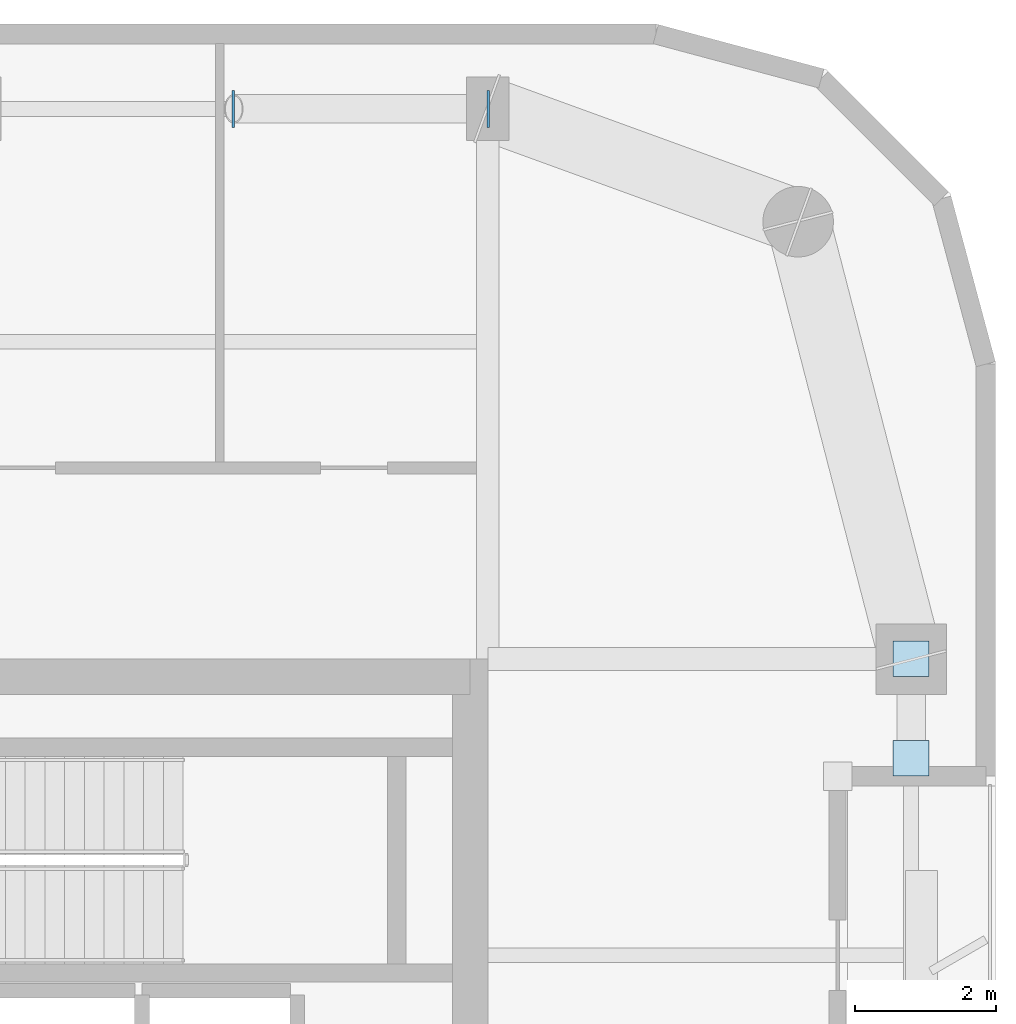
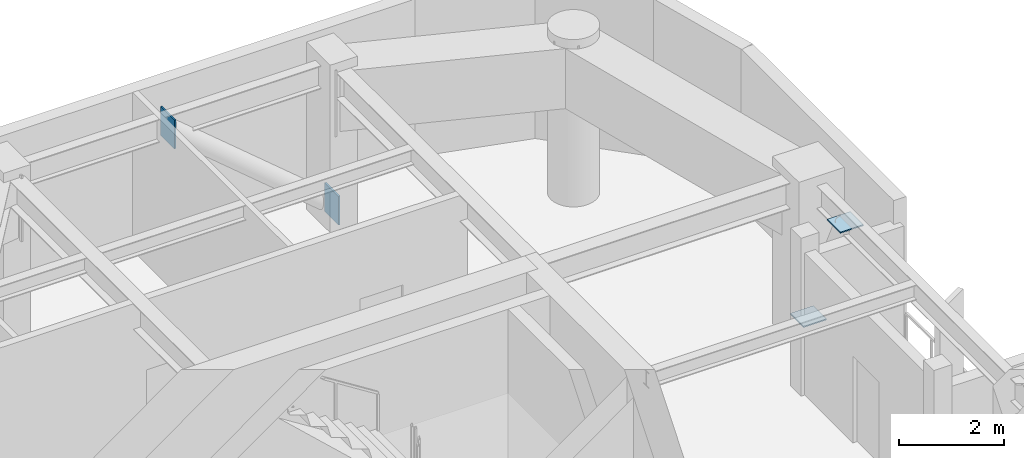
# One storey, part 9 of 15: 4 plates.
"""IFC4 building model written with IfcOpenShell, lengths in metres."""

from ifc_helpers import new_model, si_unit, direction, frame, origin, origin_2d, place, context, subcontext, project, spatial, rectangle, extrude, material, layer, layer_set, type_object, element, save


model = new_model("IFC4")

# Units and contexts
model_context = context("Model", 3, precision=1e-05, world=origin(), true_north=direction((0.0, 1.0)))
body_context = subcontext(model_context, "Body", "Model", "MODEL_VIEW")
ifc_project = project(units=[si_unit("LENGTHUNIT", "METRE"), si_unit("AREAUNIT", "SQUARE_METRE"), si_unit("VOLUMEUNIT", "CUBIC_METRE"), si_unit("PLANEANGLEUNIT", "RADIAN"), si_unit("MASSUNIT", "GRAM", prefix="KILO")], contexts=[model_context])

# Site, building, storey
site_placement = place(None, origin())
site = spatial("IfcSite", under=ifc_project, at=site_placement, CompositionType="ELEMENT")
building_placement = place(site_placement, origin())
building = spatial("IfcBuilding", under=site, at=building_placement, Name="Kiyonajd Concourse Tower", CompositionType="ELEMENT")
storey_placement = place(building_placement, frame((0.0, 0.0, 262.800048828125)))
storey = spatial("IfcBuildingStorey", under=building, at=storey_placement, Name="L66", CompositionType="ELEMENT", Elevation=262.800048828125)

# Plates
ifc_material = material(Name="Steel ASTM A572 Grade 50", Category="steel")
ifc_layer = layer(ifc_material, 0.028076171875)
ifc_layer_set = layer_set([ifc_layer], Name="Steel ASTM A572 Grade 50")
plate_type = type_object("IfcPlateType", Name="PL-CAP-450", PredefinedType="USERDEFINED", material=ifc_layer_set)
for number, where, z_axis, x_axis, name in (
    (1, (63.6083984375, 52.199951171875, -0.04248046875), (0.0, 0.0, 1.0), (1.0, 0.0, 0.0), "L66 Hollow Brace End Cap Plate PBN"),
    (2, (59.99169921875, 52.199951171875, 3.001708984375), (0.0, 0.0, 1.0), (-1.0, 0.0, 0.0), "L66 Hollow Brace Top Cap Plate PBN"),
):
    element("IfcPlate", number, at=place(storey_placement, frame(where, z_axis=z_axis, x_axis=x_axis)), inside=storey, type_object=plate_type, Name=name, ObjectType="CAP PLATE", PredefinedType="USERDEFINED", context=body_context, shape_type="SweptSolid", body=[
        extrude(rectangle(XDim=0.035888671875, YDim=0.52587890625, at=origin_2d()), origin(), (0.0, 0.0, 1.0), 0.6708984375),
    ])
for number, where, z_axis, x_axis, name in (
    (3, (69.60009765625, 44.404541015625, 0.27587890625), (0.0, 0.0, 1.0), (1.0, 0.0, 0.0), "L66 Hollow Brace End Cap Plate PBE"),
    (4, (69.60009765625, 42.995361328125, 3.32568359375), (0.0, 0.0, 1.0), (1.0, 0.0, 0.0), "L66 Hollow Brace Top Cap Plate PBE"),
):
    element("IfcPlate", number, at=place(storey_placement, frame(where, z_axis=z_axis, x_axis=x_axis)), inside=storey, type_object=plate_type, Name=name, ObjectType="CAP PLATE", PredefinedType="USERDEFINED", context=body_context, shape_type="SweptSolid", body=[
        extrude(rectangle(XDim=0.506103515625, YDim=0.506103515625, at=origin_2d()), origin(), (0.0, 0.0, 1.0), 0.028076171875),
    ])

save(model, "model.ifc")
